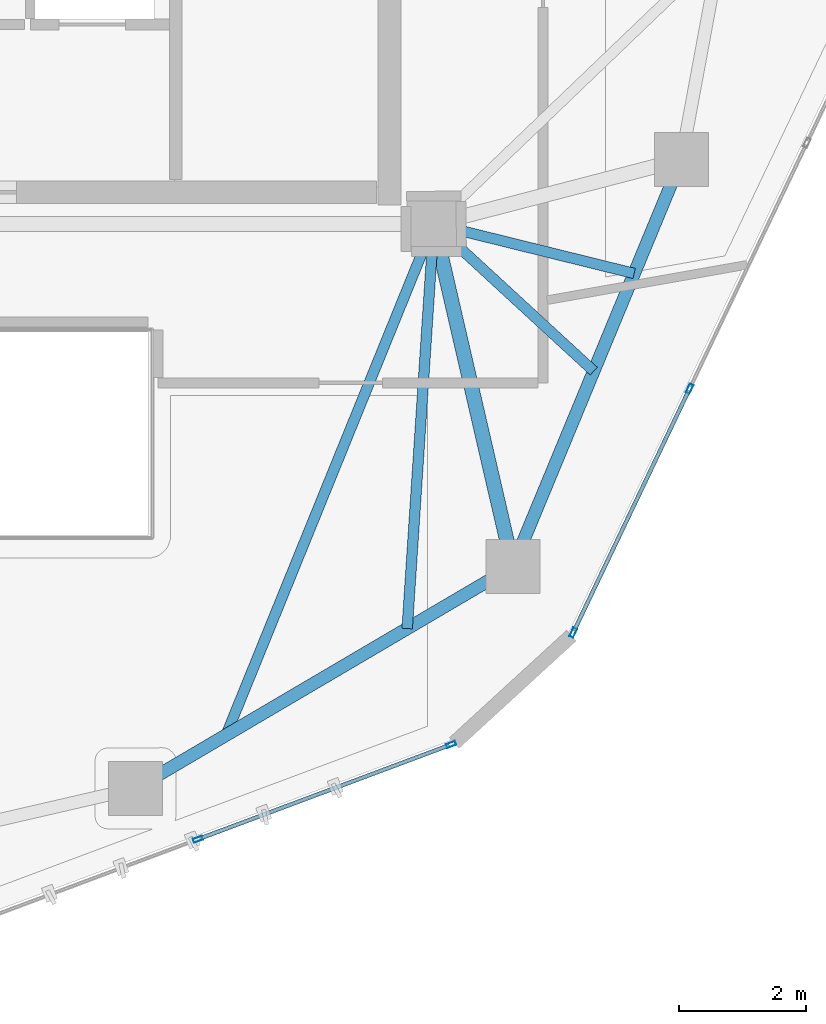
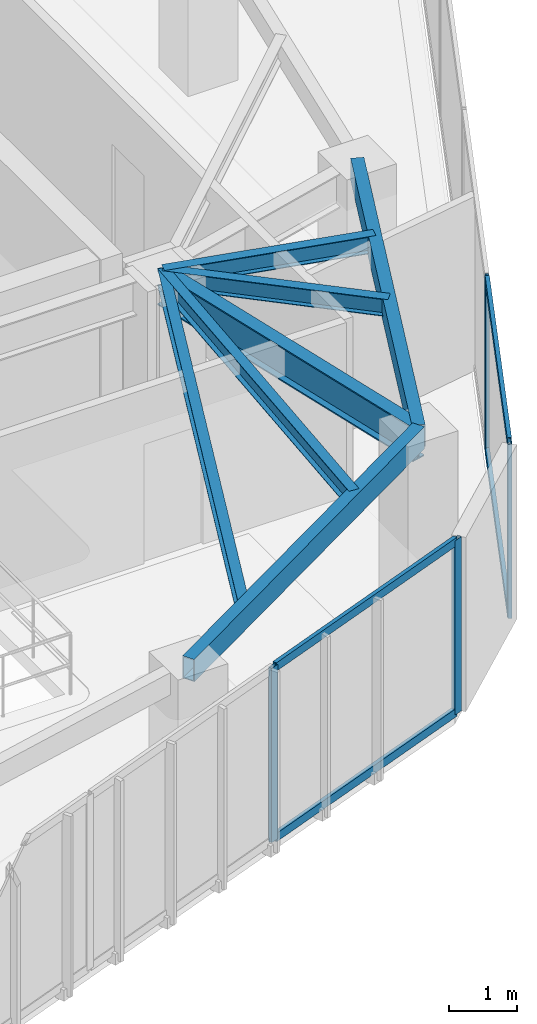
# One storey, part 6 of 20: 8 members, 7 beams, 2 elements without a shape of their own.
"""IFC4 building model written with IfcOpenShell, lengths in metres."""

from ifc_helpers import new_model, si_unit, direction, frame, origin, origin_2d, place, context, subcontext, project, spatial, hollow_rectangle, i_section, extrude, source, transform, mapped, material, layer, layer_set, material_profile, profile_set, type_object, type_shapes, element, aggregate, save


model = new_model("IFC4")

# Units and contexts
model_context = context("Model", 3, precision=1e-05, world=origin(), true_north=direction((0.0, 1.0)))
body_context = subcontext(model_context, "Body", "Model", "MODEL_VIEW")
ifc_project = project(units=[si_unit("LENGTHUNIT", "METRE"), si_unit("AREAUNIT", "SQUARE_METRE"), si_unit("VOLUMEUNIT", "CUBIC_METRE"), si_unit("PLANEANGLEUNIT", "RADIAN"), si_unit("MASSUNIT", "GRAM", prefix="KILO")], contexts=[model_context])

# Site, building, storey
site_placement = place(None, origin())
site = spatial("IfcSite", under=ifc_project, at=site_placement, CompositionType="ELEMENT")
building_placement = place(site_placement, origin())
building = spatial("IfcBuilding", under=site, at=building_placement, Name="Talar Marvaseh", CompositionType="ELEMENT")
storey_placement = place(building_placement, frame((0.0, 0.0, 281.60009765625)))
storey = spatial("IfcBuildingStorey", under=building, at=storey_placement, Name="L75", CompositionType="ELEMENT", Elevation=281.60009765625)

# Beams
ifc_material_1 = material(Name="Steel S355", Category="steel")
ifc_material_profile_1 = material_profile(ifc_material_1, hollow_rectangle(XDim=0.199951171875, YDim=0.39990234375, WallThickness=0.013916015625, at=origin_2d()), Name="RHS400x200x14")
ifc_profile_set_1 = profile_set([ifc_material_profile_1], Name="Steel S355")
beam_type_1 = type_object("IfcBeamType", Name="Zone 3 Perimeter Spandrel Beam RHS400x200x14", PredefinedType="SPANDREL", material=ifc_profile_set_1)
beam_1_placement = place(storey_placement, frame((37.197021484375, 26.513916015625, 2.93994140625), z_axis=(-0.382798740112, -0.923831762048, 0.0), x_axis=(0.923831762048, -0.382798740112, 0.0)))
element("IfcBeam", 1, at=beam_1_placement, inside=storey, type_object=beam_type_1, Name="L75 Zone 3 Perimeter Spandrel Beam RHS400x200x14", PredefinedType="SPANDREL", context=body_context, shape_type="SweptSolid", body=[
    extrude(hollow_rectangle(XDim=0.199951171875, YDim=0.39990234375, WallThickness=0.013916015625, at=origin_2d()), origin(), (0.0, 0.0, 1.0), 6.9306640625),
])
beam_2_placement = place(storey_placement, frame((34.5439453125, 20.111083984375, 2.93994140625), z_axis=(-0.861894136287, -0.507088254482, 0.0), x_axis=(0.507088254482, -0.861894136287, 0.0)))
element("IfcBeam", 2, at=beam_2_placement, inside=storey, type_object=beam_type_1, Name="L75 Zone 3 Perimeter Spandrel Beam RHS400x200x14", PredefinedType="SPANDREL", context=body_context, shape_type="SweptSolid", body=[
    extrude(hollow_rectangle(XDim=0.199951171875, YDim=0.39990234375, WallThickness=0.013916015625, at=origin_2d()), origin(), (0.0, 0.0, 1.0), 6.890625),
])
ifc_material_profile_2 = material_profile(ifc_material_1, i_section(OverallWidth=0.166015625, OverallDepth=0.31298828125, WebThickness=0.006591796875, FlangeThickness=0.01123046875, at=origin_2d()), Name="W310x45")
ifc_profile_set_2 = profile_set([ifc_material_profile_2], Name="Steel S355")
beam_type_2 = type_object("IfcBeamType", Name="Zone 3 Secondary Floor Joist W310x45", PredefinedType="JOIST", material=ifc_profile_set_2)
beam_3_placement = place(storey_placement, frame((36.4541015625, 24.72119140625, 2.9833984375), z_axis=(-0.970841284349, 0.239723174942, 0.0), x_axis=(-0.239723174942, -0.970841284349, 0.0)))
element("IfcBeam", 3, at=beam_3_placement, inside=storey, type_object=beam_type_2, Name="L75 Zone 3 Secondary Floor Joist W310x45", PredefinedType="JOIST", context=body_context, shape_type="SweptSolid", body=[
    extrude(i_section(OverallWidth=0.166015625, OverallDepth=0.31298828125, WebThickness=0.006591796875, FlangeThickness=0.01123046875, at=origin_2d()), origin(), (0.0, 0.0, 1.0), 3.248779296875),
])
beam_4_placement = place(storey_placement, frame((35.8173828125, 23.184326171875, 2.9833984375), z_axis=(-0.735970843201, 0.677013233223, 0.0), x_axis=(-0.677013233223, -0.735970843201, 0.0)))
element("IfcBeam", 4, at=beam_4_placement, inside=storey, type_object=beam_type_2, Name="L75 Zone 3 Secondary Floor Joist W310x45", PredefinedType="JOIST", context=body_context, shape_type="SweptSolid", body=[
    extrude(i_section(OverallWidth=0.166015625, OverallDepth=0.31298828125, WebThickness=0.006591796875, FlangeThickness=0.01123046875, at=origin_2d()), origin(), (0.0, 0.0, 1.0), 3.42041015625),
])
beam_5_placement = place(storey_placement, frame((32.881103515625, 19.1328125, 2.9833984375), z_axis=(0.065655577597, 0.997842344827, 0.0), x_axis=(-0.997842344827, 0.065655577597, 0.0)))
element("IfcBeam", 5, at=beam_5_placement, inside=storey, type_object=beam_type_2, Name="L75 Zone 3 Secondary Floor Joist W310x45", PredefinedType="JOIST", context=body_context, shape_type="SweptSolid", body=[
    extrude(i_section(OverallWidth=0.166015625, OverallDepth=0.31298828125, WebThickness=0.006591796875, FlangeThickness=0.01123046875, at=origin_2d()), origin(), (0.0, 0.0, 1.0), 6.380859375),
])
beam_6_placement = place(storey_placement, frame((30.030517578125, 17.45556640625, 2.9833984375), z_axis=(0.37652334678, 0.92640712936, 0.0), x_axis=(-0.92640712936, 0.37652334678, 0.0)))
element("IfcBeam", 6, at=beam_6_placement, inside=storey, type_object=beam_type_2, Name="L75 Zone 3 Secondary Floor Joist W310x45", PredefinedType="JOIST", context=body_context, shape_type="SweptSolid", body=[
    extrude(i_section(OverallWidth=0.166015625, OverallDepth=0.31298828125, WebThickness=0.006591796875, FlangeThickness=0.01123046875, at=origin_2d()), origin(), (0.0, 0.0, 1.0), 8.68359375),
])
ifc_material_profile_3 = material_profile(ifc_material_1, i_section(OverallWidth=0.22998046875, OverallDepth=0.616943359375, WebThickness=0.01318359375, FlangeThickness=0.022216796875, at=origin_2d()), Name="W610x140")
ifc_profile_set_3 = profile_set([ifc_material_profile_3], Name="Steel S355")
beam_type_3 = type_object("IfcBeamType", Name="Zone 4 Radial Floor Girder W610x140", PredefinedType="BEAM", material=ifc_profile_set_3)
beam_7_placement = place(storey_placement, frame((34.5439453125, 20.111083984375, 2.831298828125), z_axis=(-0.22491108979, 0.974379290466, 0.0), x_axis=(-0.974379290466, -0.22491108979, 0.0)))
element("IfcBeam", 7, at=beam_7_placement, inside=storey, type_object=beam_type_3, Name="L75 Zone 4 Radial Floor Girder W610x140", PredefinedType="BEAM", context=body_context, shape_type="SweptSolid", body=[
    extrude(i_section(OverallWidth=0.22998046875, OverallDepth=0.616943359375, WebThickness=0.01318359375, FlangeThickness=0.022216796875, at=origin_2d()), origin(), (0.0, 0.0, 1.0), 5.530517578125),
])

# Curtain wall, members
ifc_material_2 = material(Name="Architectural Aluminium", Category="aluminium")
ifc_layer = layer(ifc_material_2, 0.179931640625)
ifc_layer_set = layer_set([ifc_layer], Name="Architectural Aluminium")
curtain_wall_type = type_object("IfcCurtainWallType", Name="Unitised High-Wind Sky Curtain Wall Z4", PredefinedType="NOTDEFINED", material=ifc_layer_set)
curtain_wall_1_placement = place(storey_placement, origin())
curtain_wall_1 = element("IfcCurtainWall", 8, at=curtain_wall_1_placement, inside=storey, type_object=curtain_wall_type, Name="L75 Unitised High-Wind Sky Curtain Wall Z4", PredefinedType="NOTDEFINED")
ifc_material_profile_4 = material_profile(ifc_material_2, hollow_rectangle(XDim=0.06494140625, YDim=0.14990234375, WallThickness=0.00390625, at=origin_2d()), Name="RHS150x65x4")
ifc_profile_set_4 = profile_set([ifc_material_profile_4], Name="Architectural Aluminium")
member_type_1 = type_object("IfcMemberType", Name="Unitised Curtain Wall Slim Mullion RHS150x65x4", PredefinedType="MULLION", material=ifc_profile_set_4)
shared_shape_1 = source(origin(), body_context, "Body", "SweptSolid", [
    extrude(hollow_rectangle(XDim=0.06494140625, YDim=0.14990234375, WallThickness=0.00390625, at=origin_2d()), origin(), (0.0, 0.0, 1.0), 3.139892578125),
])
type_shapes(member_type_1, [shared_shape_1])
member_1_placement = place(storey_placement, frame((37.326171875, 22.90771484375, 0.0), z_axis=(0.0, 0.0, 1.0), x_axis=(0.902516744235, -0.430654764719, 0.0)))
member_1 = element("IfcMember", 9, at=member_1_placement, type_object=member_type_1, Name="CW-Z4 mullion 4", PredefinedType="MULLION", context=body_context, shape_type="MappedRepresentation", body=[
    mapped(shared_shape_1, transform((0.0, 0.0, 0.0), x_axis=(1.0, 0.0, 0.0), y_axis=(0.0, 1.0, 0.0), z_axis=(0.0, 0.0, 1.0), scale=1.0)),
])
member_2_placement = place(storey_placement, frame((35.494384765625, 19.06884765625, 0.0), z_axis=(0.0, 0.0, 1.0), x_axis=(0.902516744235, -0.430654764719, 0.0)))
member_2 = element("IfcMember", 10, at=member_2_placement, type_object=member_type_1, Name="CW-Z4 mullion 5", PredefinedType="MULLION", context=body_context, shape_type="MappedRepresentation", body=[
    mapped(shared_shape_1, transform((0.0, 0.0, 0.0), x_axis=(1.0, 0.0, 0.0), y_axis=(0.0, 1.0, 0.0), z_axis=(0.0, 0.0, 1.0), scale=1.0)),
])

curtain_wall_2_placement = place(storey_placement, origin())
curtain_wall_2 = element("IfcCurtainWall", 11, at=curtain_wall_2_placement, inside=storey, type_object=curtain_wall_type, Name="L75 Unitised High-Wind Sky Curtain Wall Z4", PredefinedType="NOTDEFINED")
member_3_placement = place(storey_placement, frame((33.57177734375, 17.30712890625, 0.0), z_axis=(0.0, 0.0, 1.0), x_axis=(0.350351185001, -0.93661841065, 0.0)))
member_3 = element("IfcMember", 12, at=member_3_placement, type_object=member_type_1, Name="CW-Z4 mullion 1", PredefinedType="MULLION", context=body_context, shape_type="MappedRepresentation", body=[
    mapped(shared_shape_1, transform((0.0, 0.0, 0.0), x_axis=(1.0, 0.0, 0.0), y_axis=(0.0, 1.0, 0.0), z_axis=(0.0, 0.0, 1.0), scale=1.0)),
])
member_4_placement = place(storey_placement, frame((29.587646484375, 15.816650390625, 0.0), z_axis=(0.0, 0.0, 1.0), x_axis=(0.350351185001, -0.93661841065, 0.0)))
member_4 = element("IfcMember", 13, at=member_4_placement, type_object=member_type_1, Name="CW-Z4 mullion 2", PredefinedType="MULLION", context=body_context, shape_type="MappedRepresentation", body=[
    mapped(shared_shape_1, transform((0.0, 0.0, 0.0), x_axis=(1.0, 0.0, 0.0), y_axis=(0.0, 1.0, 0.0), z_axis=(0.0, 0.0, 1.0), scale=1.0)),
])

# Member
ifc_material_profile_5 = material_profile(ifc_material_2, hollow_rectangle(XDim=0.06494140625, YDim=0.14990234375, WallThickness=0.00390625, at=origin_2d()), Name="RHS150x65x4")
ifc_profile_set_5 = profile_set([ifc_material_profile_5], Name="Architectural Aluminium")
member_type_2 = type_object("IfcMemberType", Name="Unitised Curtain Wall Slim Transom RHS150x65x4", PredefinedType="USERDEFINED", material=ifc_profile_set_5)
shared_shape_2 = source(origin(), body_context, "Body", "SweptSolid", [
    extrude(hollow_rectangle(XDim=0.06494140625, YDim=0.14990234375, WallThickness=0.00390625, at=origin_2d()), origin(), (0.0, 0.0, 1.0), 4.188720703125),
])
type_shapes(member_type_2, [shared_shape_2])
member_5_placement = place(storey_placement, frame((37.312255859375, 22.87841796875, 0.032470703125), z_axis=(-0.430677797218, -0.902505753435, 0.0), x_axis=(0.902505753435, -0.430677797218, 0.0)))
member_5 = element("IfcMember", 14, at=member_5_placement, type_object=member_type_2, Name="CW-Z4 transom 4.1", ObjectType="TRANSOM", PredefinedType="USERDEFINED", context=body_context, shape_type="MappedRepresentation", body=[
    mapped(shared_shape_2, transform((0.0, 0.0, 0.0), x_axis=(1.0, 0.0, 0.0), y_axis=(0.0, 1.0, 0.0), z_axis=(0.0, 0.0, 1.0), scale=1.0)),
])

member_6_placement = place(storey_placement, frame((37.312255859375, 22.87841796875, 3.107421875), z_axis=(-0.430677797218, -0.902505753435, 0.0), x_axis=(0.902505753435, -0.430677797218, 0.0)))
member_6 = element("IfcMember", 15, at=member_6_placement, type_object=member_type_2, Name="CW-Z4 transom 4.2", ObjectType="TRANSOM", PredefinedType="USERDEFINED", context=body_context, shape_type="MappedRepresentation", body=[
    mapped(shared_shape_2, transform((0.0, 0.0, 0.0), x_axis=(1.0, 0.0, 0.0), y_axis=(0.0, 1.0, 0.0), z_axis=(0.0, 0.0, 1.0), scale=1.0)),
])

aggregate(curtain_wall_1, [member_1, member_2, member_5, member_6])

member_7_placement = place(storey_placement, frame((33.541259765625, 17.295654296875, 0.032470703125), z_axis=(-0.936621070845, -0.350344073233, 0.0), x_axis=(0.350344073233, -0.936621070845, 0.0)))
member_7 = element("IfcMember", 16, at=member_7_placement, type_object=member_type_2, Name="CW-Z4 transom 1.1", ObjectType="TRANSOM", PredefinedType="USERDEFINED", context=body_context, shape_type="MappedRepresentation", body=[
    mapped(shared_shape_2, transform((0.0, 0.0, 0.0), x_axis=(1.0, 0.0, 0.0), y_axis=(0.0, 1.0, 0.0), z_axis=(0.0, 0.0, 1.0), scale=1.0)),
])

member_8_placement = place(storey_placement, frame((33.541259765625, 17.295654296875, 3.107421875), z_axis=(-0.936621070845, -0.350344073233, 0.0), x_axis=(0.350344073233, -0.936621070845, 0.0)))
member_8 = element("IfcMember", 17, at=member_8_placement, type_object=member_type_2, Name="CW-Z4 transom 1.2", ObjectType="TRANSOM", PredefinedType="USERDEFINED", context=body_context, shape_type="MappedRepresentation", body=[
    mapped(shared_shape_2, transform((0.0, 0.0, 0.0), x_axis=(1.0, 0.0, 0.0), y_axis=(0.0, 1.0, 0.0), z_axis=(0.0, 0.0, 1.0), scale=1.0)),
])

aggregate(curtain_wall_2, [member_3, member_4, member_7, member_8])

save(model, "model.ifc")
